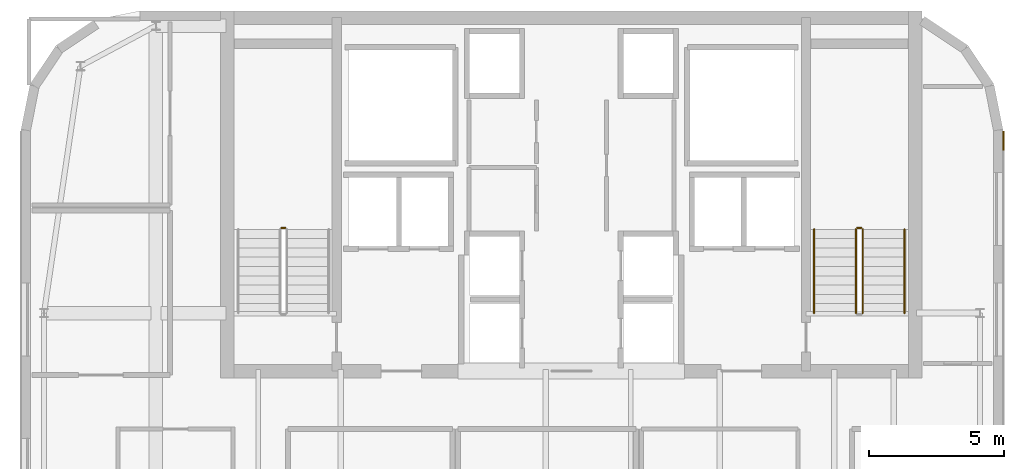
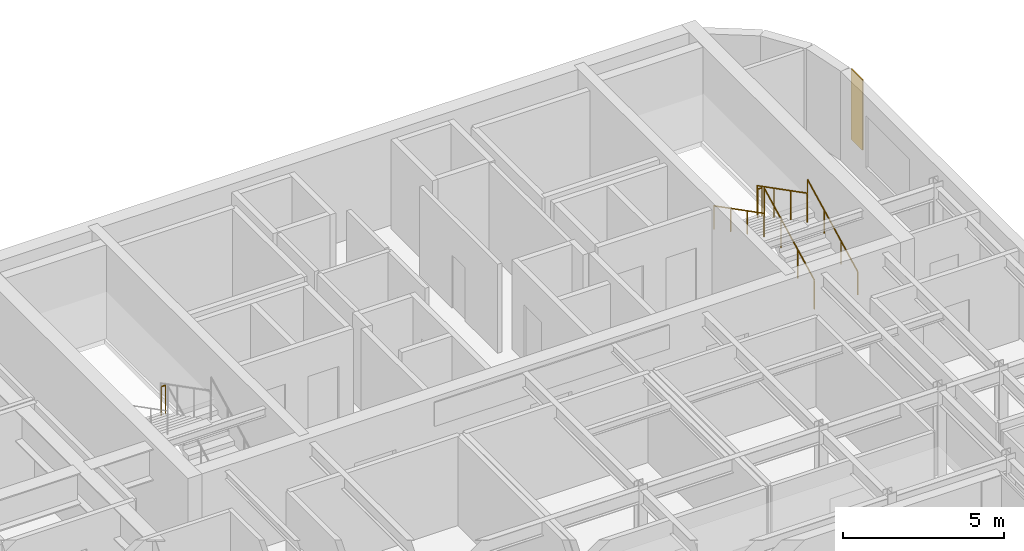
# One storey, part 21 of 21: 6 railings, 1 covering.
"""IFC4 building model written with IfcOpenShell, lengths in metres."""

from ifc_helpers import new_model, si_unit, direction, frame, origin, origin_2d, place, context, subcontext, project, spatial, polyline, circle, outline, extrude, material, layer, layer_set, type_object, element, save


model = new_model("IFC4")

# Units and contexts
model_context = context("Model", 3, precision=1e-05, world=origin(), true_north=direction((0.0, 1.0)))
body_context = subcontext(model_context, "Body", "Model", "MODEL_VIEW")
ifc_project = project(units=[si_unit("LENGTHUNIT", "METRE"), si_unit("AREAUNIT", "SQUARE_METRE"), si_unit("VOLUMEUNIT", "CUBIC_METRE"), si_unit("PLANEANGLEUNIT", "RADIAN"), si_unit("MASSUNIT", "GRAM", prefix="KILO")], contexts=[model_context])

# Site, building, storey
site_placement = place(None, origin())
site = spatial("IfcSite", under=ifc_project, at=site_placement, CompositionType="ELEMENT")
building_placement = place(site_placement, origin())
building = spatial("IfcBuilding", under=site, at=building_placement, Name="Tolvann Quenvar Hotel", CompositionType="ELEMENT")
storey_placement = place(building_placement, frame((0.0, 0.0, 255.85009765625)))
storey = spatial("IfcBuildingStorey", under=building, at=storey_placement, Name="L68", CompositionType="ELEMENT", Elevation=255.85009765625)

# Covering
ifc_material_1 = material(Name="Kiln-fired red architectural face brick cladding", Category="masonry")
ifc_layer = layer(ifc_material_1, 0.0400390625)
ifc_layer_set = layer_set([ifc_layer], Name="Kiln-fired red architectural face brick cladding")
covering_type = type_object("IfcCoveringType", Name="COV_CLAD_BRICK_40", PredefinedType="CLADDING", material=ifc_layer_set)
covering_placement = place(storey_placement, frame((0.0, 0.0, 0.699951171875)))
element("IfcCovering", 1, at=covering_placement, inside=storey, type_object=covering_type, Name="Brick Pier Cladding (L68-E13-P2)", PredefinedType="CLADDING", context=body_context, shape_type="SweptSolid", body=[
    extrude(outline(polyline([(39.0, 40.03271484375), (39.0, 40.73291015625), (39.0400390625, 40.73291015625), (39.0400390625, 40.03271484375), (39.0, 40.03271484375)])), origin(), (0.0, 0.0, 1.0), 2.669921875),
])

# Railings
ifc_material_2 = material(Name="Brushed 316 stainless steel balustrade and handrail", Category="steel")
railing_type_1 = type_object("IfcRailingType", Name="GUARDRAIL", PredefinedType="GUARDRAIL", material=ifc_material_2)
railing_1_placement = place(storey_placement, frame((12.39990234375, 37.155029296875, 1.77490234375)))
element("IfcRailing", 2, at=railing_1_placement, inside=storey, type_object=railing_type_1, Name="L68 ST-C1 stair guard 2", PredefinedType="GUARDRAIL", context=body_context, shape_type="SweptSolid", body=[
    extrude(circle(Radius=0.02392578125, at=origin_2d()), frame((0.0, 0.0, 1.09619140625), z_axis=(-1.0, 0.0, 0.0), x_axis=(0.0, -1.0, 0.0)), (0.0, 0.0, 1.0), 0.14990234375),
    extrude(circle(Radius=0.02099609375, at=origin_2d()), origin(), (0.0, 0.0, 1.0), 1.072021484375),
    extrude(circle(Radius=0.02099609375, at=origin_2d()), frame((-0.14990234375, 0.0, 0.0)), (0.0, 0.0, 1.0), 1.072021484375),
])
railing_2_placement = place(storey_placement, frame((33.800048828125, 34.0, 0.177490234375)))
element("IfcRailing", 3, at=railing_2_placement, inside=storey, type_object=railing_type_1, Name="L68 ST-C2 stair guard 1", PredefinedType="GUARDRAIL", context=body_context, shape_type="SweptSolid", body=[
    extrude(circle(Radius=0.02392578125, at=origin_2d()), frame((0.0, 0.0, 1.09619140625), z_axis=(0.0, 0.889221982265, 0.45747597342), x_axis=(-1.0, 0.0, 0.0)), (0.0, 0.0, 1.0), 3.49169921875),
    extrude(circle(Radius=0.02099609375, at=origin_2d()), origin(), (0.0, 0.0, 1.0), 1.072021484375),
    extrude(circle(Radius=0.02099609375, at=origin_2d()), frame((0.0, 1.034912109375, 0.532470703125)), (0.0, 0.0, 1.0), 1.072021484375),
    extrude(circle(Radius=0.02099609375, at=origin_2d()), frame((0.0, 2.070068359375, 1.06494140625)), (0.0, 0.0, 1.0), 1.072021484375),
    extrude(circle(Radius=0.02099609375, at=origin_2d()), frame((0.0, 3.10498046875, 1.597412109375)), (0.0, 0.0, 1.0), 1.072021484375),
])
railing_3_placement = place(storey_placement, frame((33.75, 37.155029296875, 1.77490234375)))
element("IfcRailing", 4, at=railing_3_placement, inside=storey, type_object=railing_type_1, Name="L68 ST-C2 stair guard 2", PredefinedType="GUARDRAIL", context=body_context, shape_type="SweptSolid", body=[
    extrude(circle(Radius=0.02392578125, at=origin_2d()), frame((0.0, 0.0, 1.09619140625), z_axis=(-1.0, 0.0, 0.0), x_axis=(0.0, -1.0, 0.0)), (0.0, 0.0, 1.0), 0.14990234375),
    extrude(circle(Radius=0.02099609375, at=origin_2d()), origin(), (0.0, 0.0, 1.0), 1.072021484375),
    extrude(circle(Radius=0.02099609375, at=origin_2d()), frame((-0.14990234375, 0.0, 0.0)), (0.0, 0.0, 1.0), 1.072021484375),
])
railing_4_placement = place(storey_placement, frame((33.550048828125, 37.10498046875, 1.952392578125)))
element("IfcRailing", 5, at=railing_4_placement, inside=storey, type_object=railing_type_1, Name="L68 ST-C2 stair guard 3", PredefinedType="GUARDRAIL", context=body_context, shape_type="SweptSolid", body=[
    extrude(circle(Radius=0.02392578125, at=origin_2d()), frame((0.0, 0.0, 1.09619140625), z_axis=(0.0, -0.889221982265, 0.45747597342), x_axis=(1.0, 0.0, 0.0)), (0.0, 0.0, 1.0), 3.49169921875),
    extrude(circle(Radius=0.02099609375, at=origin_2d()), origin(), (0.0, 0.0, 1.0), 1.072021484375),
    extrude(circle(Radius=0.02099609375, at=origin_2d()), frame((0.0, -1.034912109375, 0.532470703125)), (0.0, 0.0, 1.0), 1.072021484375),
    extrude(circle(Radius=0.02099609375, at=origin_2d()), frame((0.0, -2.070068359375, 1.06494140625)), (0.0, 0.0, 1.0), 1.072021484375),
    extrude(circle(Radius=0.02099609375, at=origin_2d()), frame((0.0, -3.10498046875, 1.597412109375)), (0.0, 0.0, 1.0), 1.072021484375),
])
railing_type_2 = type_object("IfcRailingType", Name="HANDRAIL", PredefinedType="HANDRAIL", material=ifc_material_2)
railing_5_placement = place(storey_placement, frame((35.35009765625, 34.0, 0.177490234375)))
element("IfcRailing", 6, at=railing_5_placement, inside=storey, type_object=railing_type_2, Name="L68 ST-C2 stair handrail 1", PredefinedType="HANDRAIL", context=body_context, shape_type="SweptSolid", body=[
    extrude(circle(Radius=0.02392578125, at=origin_2d()), frame((0.0, 0.0, 0.8759765625), z_axis=(0.0, 0.889221982265, 0.45747597342), x_axis=(-1.0, 0.0, 0.0)), (0.0, 0.0, 1.0), 3.49169921875),
    extrude(circle(Radius=0.02099609375, at=origin_2d()), origin(), (0.0, 0.0, 1.0), 0.851806640625),
    extrude(circle(Radius=0.02099609375, at=origin_2d()), frame((0.0, 1.034912109375, 0.532470703125)), (0.0, 0.0, 1.0), 0.851806640625),
    extrude(circle(Radius=0.02099609375, at=origin_2d()), frame((0.0, 2.070068359375, 1.06494140625)), (0.0, 0.0, 1.0), 0.851806640625),
    extrude(circle(Radius=0.02099609375, at=origin_2d()), frame((0.0, 3.10498046875, 1.597412109375)), (0.0, 0.0, 1.0), 0.851806640625),
])
railing_6_placement = place(storey_placement, frame((32.0, 37.10498046875, 1.952392578125)))
element("IfcRailing", 7, at=railing_6_placement, inside=storey, type_object=railing_type_2, Name="L68 ST-C2 stair handrail 2", PredefinedType="HANDRAIL", context=body_context, shape_type="SweptSolid", body=[
    extrude(circle(Radius=0.02392578125, at=origin_2d()), frame((0.0, 0.0, 0.8759765625), z_axis=(0.0, -0.889221982265, 0.45747597342), x_axis=(1.0, 0.0, 0.0)), (0.0, 0.0, 1.0), 3.49169921875),
    extrude(circle(Radius=0.02099609375, at=origin_2d()), origin(), (0.0, 0.0, 1.0), 0.851806640625),
    extrude(circle(Radius=0.02099609375, at=origin_2d()), frame((0.0, -1.034912109375, 0.532470703125)), (0.0, 0.0, 1.0), 0.851806640625),
    extrude(circle(Radius=0.02099609375, at=origin_2d()), frame((0.0, -2.070068359375, 1.06494140625)), (0.0, 0.0, 1.0), 0.851806640625),
    extrude(circle(Radius=0.02099609375, at=origin_2d()), frame((0.0, -3.10498046875, 1.597412109375)), (0.0, 0.0, 1.0), 0.851806640625),
])

save(model, "model.ifc")
